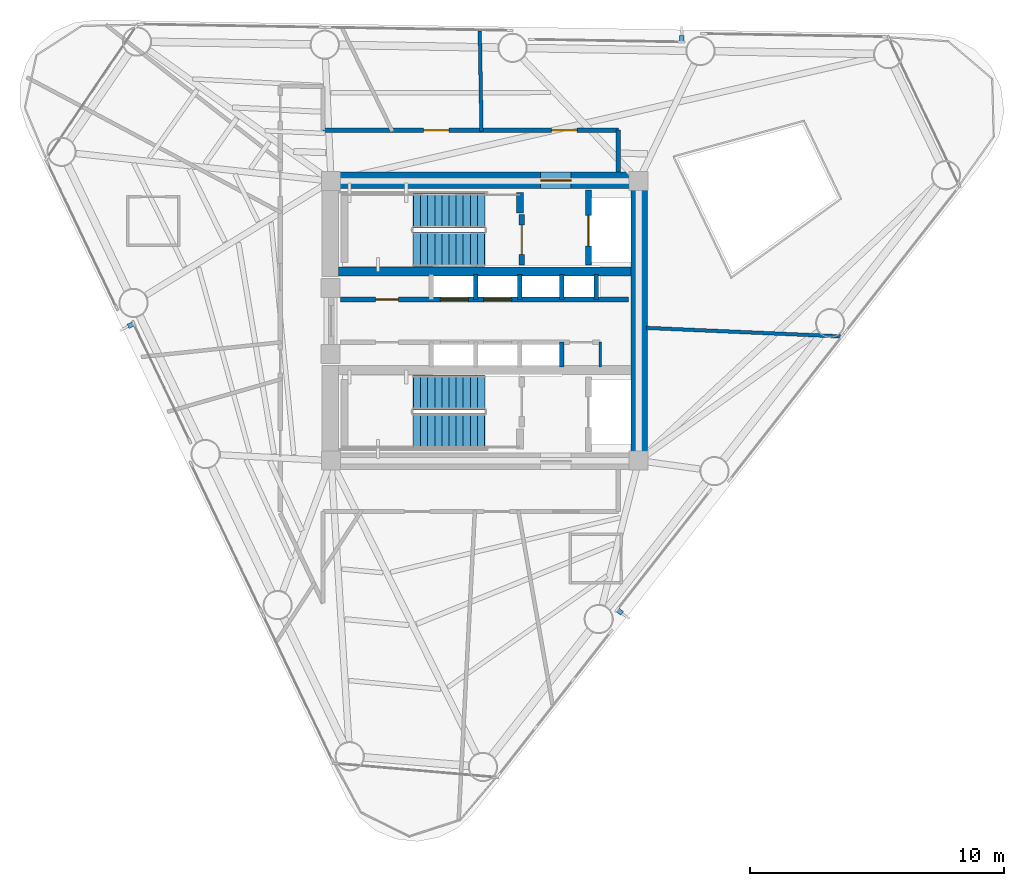
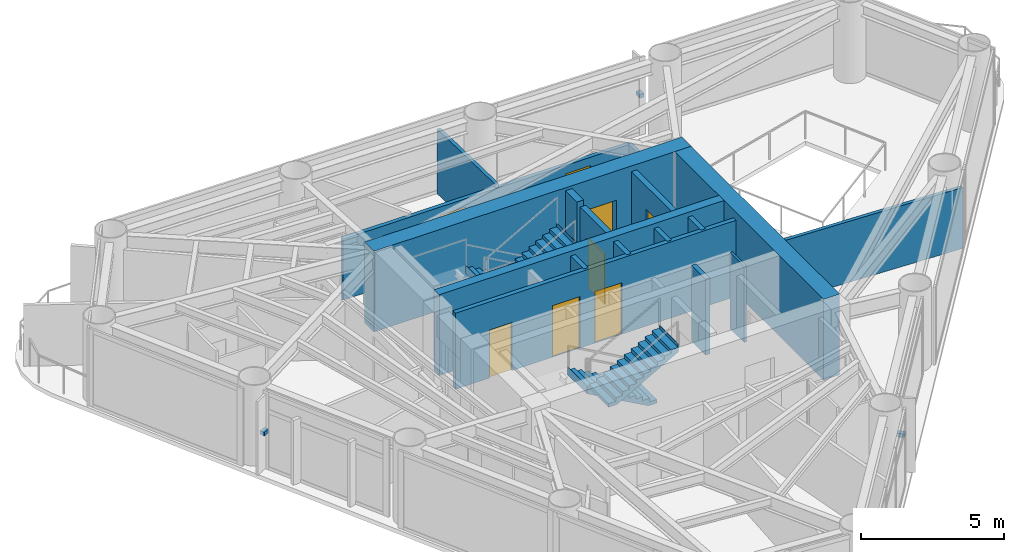
# One storey, part 6 of 9: 17 walls, 8 doors, 4 stair flights, 3 discrete accessories, 8 openings, 2 elements without a shape of their own.
"""IFC4 building model written with IfcOpenShell, lengths in metres."""

from ifc_helpers import new_model, si_unit, direction, frame, frame_2d, origin, origin_2d, place, context, subcontext, project, spatial, polyline, rectangle, outline, extrude, source, transform, mapped, material, layer, layer_set, type_object, element, fill, aggregate, save


model = new_model("IFC4")

# Units and contexts
model_context = context("Model", 3, precision=1e-05, world=origin(), true_north=direction((0.0, 1.0)))
body_context = subcontext(model_context, "Body", "Model", "MODEL_VIEW")
ifc_project = project(units=[si_unit("LENGTHUNIT", "METRE"), si_unit("AREAUNIT", "SQUARE_METRE"), si_unit("VOLUMEUNIT", "CUBIC_METRE"), si_unit("PLANEANGLEUNIT", "RADIAN"), si_unit("MASSUNIT", "GRAM", prefix="KILO")], contexts=[model_context])

# Site, building, storey
site_placement = place(None, origin())
site = spatial("IfcSite", under=ifc_project, at=site_placement, CompositionType="ELEMENT")
building_placement = place(site_placement, origin())
building = spatial("IfcBuilding", under=site, at=building_placement, Name="Yunling Apex Tower", CompositionType="ELEMENT")
storey_placement = place(building_placement, frame((0.0, 0.0, 194.89990234375)))
storey = spatial("IfcBuildingStorey", under=building, at=storey_placement, Name="L47", CompositionType="ELEMENT", Elevation=194.89990234375)

# Wall, opening, door
ifc_material_1 = material(Name="Concrete C50", Category="concrete")
ifc_layer_1 = layer(ifc_material_1, 0.64990234375)
ifc_layer_set_1 = layer_set([ifc_layer_1], Name="Concrete C50")
wall_type_1 = type_object("IfcWallType", Name="WL-COR-2", PredefinedType="SHEAR", material=ifc_layer_set_1)
wall_1_placement = place(storey_placement, frame((-6.39990234375, 5.52490234375, 0.0), z_axis=(0.0, 0.0, 1.0), x_axis=(1.0, 0.0, 0.0)))
wall_1 = element("IfcWall", 1, at=wall_1_placement, inside=storey, type_object=wall_type_1, Name="L47 North Core Shear Wall", PredefinedType="SHEAR", context=body_context, shape_type="SweptSolid", body=[
    extrude(rectangle(XDim=12.7998046875, YDim=0.64990234375, at=frame_2d((6.39990234375, 0.0))), origin(), (0.0, 0.0, 1.0), 3.4501953125),
])
opening_1_placement = place(wall_1_placement, frame((8.60009765625, 0.0, 0.0)))
opening_1 = element("IfcOpeningElement", 2, at=opening_1_placement, cuts=wall_1, Name="Opening DR-FFL-1", PredefinedType="OPENING", context=body_context, shape_type="SweptSolid", body=[
    extrude(rectangle(XDim=1.199951171875, YDim=2.199951171875, at=frame_2d((0.60009765625, 1.10009765625))), frame((0.0, 0.3349609375, 0.0), z_axis=(0.0, -1.0, 0.0), x_axis=(1.0, 0.0, 0.0)), (0.0, 0.0, 1.0), 0.669921875),
])
ifc_material_2 = material(Name="Steel Q355B", Category="steel")
door_type_1 = type_object("IfcDoorType", Name="DR-FFL-1", OperationType="NOTDEFINED", PredefinedType="DOOR", material=ifc_material_2)
door_1_placement = place(opening_1_placement, origin())
door_1 = element("IfcDoor", 3, at=door_1_placement, inside=storey, type_object=door_type_1, Name="L47 North Firefighting Lobby Door", OperationType="SINGLE_SWING_LEFT", OverallHeight=2.199951171875, OverallWidth=1.199951171875, PredefinedType="DOOR", context=body_context, shape_type="SweptSolid", body=[
    extrude(rectangle(XDim=1.199951171875, YDim=2.199951171875, at=frame_2d((0.60009765625, 1.10009765625))), frame((0.0, 0.02490234375, 0.0), z_axis=(0.0, -1.0, 0.0), x_axis=(1.0, 0.0, 0.0)), (0.0, 0.0, 1.0), 0.050048828125),
])
fill(opening_1, door_1)

# Walls
wall_2_placement = place(storey_placement, frame((6.074951171875, -5.199951171875, 0.0), z_axis=(0.0, 0.0, 1.0), x_axis=(0.0, 1.0, 0.0)))
element("IfcWall", 4, at=wall_2_placement, inside=storey, type_object=wall_type_1, Name="L47 East Core Shear Wall", PredefinedType="SHEAR", context=body_context, shape_type="SweptSolid", body=[
    extrude(rectangle(XDim=10.39990234375, YDim=0.64990234375, at=frame_2d((5.199951171875, 0.0))), origin(), (0.0, 0.0, 1.0), 3.4501953125),
])
ifc_material_3 = material(Name="Concrete C40", Category="concrete")
ifc_layer_2 = layer(ifc_material_3, 0.360107421875)
ifc_layer_set_2 = layer_set([ifc_layer_2], Name="Concrete C40")
wall_type_2 = type_object("IfcWallType", Name="WL-COR-4", PredefinedType="SHEAR", material=ifc_layer_set_2)
wall_3_placement = place(storey_placement, frame((-5.75, 1.93994140625, 0.0), z_axis=(0.0, 0.0, 1.0), x_axis=(1.0, 0.0, 0.0)))
element("IfcWall", 5, at=wall_3_placement, inside=storey, type_object=wall_type_2, Name="L47 North Internal Core Shear Wall", PredefinedType="SHEAR", context=body_context, shape_type="SweptSolid", body=[
    extrude(rectangle(XDim=11.5, YDim=0.360107421875, at=frame_2d((5.75, 0.0))), origin(), (0.0, 0.0, 1.0), 3.4501953125),
])
ifc_layer_3 = layer(ifc_material_3, 0.280029296875)
ifc_layer_set_3 = layer_set([ifc_layer_3], Name="Concrete C40")
wall_type_3 = type_object("IfcWallType", Name="WL-COR-8", PredefinedType="SHEAR", material=ifc_layer_set_3)
wall_4_placement = place(storey_placement, frame((1.3798828125, 4.25, 0.0), z_axis=(0.0, 0.0, 1.0), x_axis=(0.0, 1.0, 0.0)))
element("IfcWall", 6, at=wall_4_placement, inside=storey, type_object=wall_type_3, Name="L47 ST-1 East Landing Bearing Pier", PredefinedType="SHEAR", context=body_context, shape_type="SweptSolid", body=[
    extrude(rectangle(XDim=0.800048828125, YDim=0.280029296875, at=frame_2d((0.39990234375, 0.0))), origin(), (0.0, 0.0, 1.0), 3.4501953125),
])

# Wall, openings, doors
ifc_material_4 = material(Name="Gypsum board acoustic partition")
ifc_layer_4 = layer(ifc_material_4, 0.159912109375)
ifc_layer_set_4 = layer_set([ifc_layer_4], Name="Gypsum board acoustic partition")
wall_type_4 = type_object("IfcWallType", Name="WL-PRT-1", PredefinedType="PARTITIONING", material=ifc_layer_set_4)
wall_5_placement = place(storey_placement, frame((-6.360107421875, 7.5, 0.0), z_axis=(0.0, 0.0, 1.0), x_axis=(1.0, 0.0, 0.0)))
wall_5 = element("IfcWall", 7, at=wall_5_placement, inside=storey, type_object=wall_type_4, Name="WL-CORR-L47-06", PredefinedType="PARTITIONING", context=body_context, shape_type="SweptSolid", body=[
    extrude(rectangle(XDim=11.610107421875, YDim=0.159912109375, at=frame_2d((5.80517578125, 0.0))), origin(), (0.0, 0.0, 1.0), 2.60498046875),
])
opening_2_placement = place(wall_5_placement, frame((3.94775390625, 0.0, 0.0)))
opening_2 = element("IfcOpeningElement", 8, at=opening_2_placement, cuts=wall_5, Name="Opening DR-OFF-1", PredefinedType="OPENING", context=body_context, shape_type="SweptSolid", body=[
    extrude(rectangle(XDim=1.0, YDim=2.25, at=frame_2d((0.5, 1.125))), frame((0.0, 0.08984375, 0.0), z_axis=(0.0, -1.0, 0.0), x_axis=(1.0, 0.0, 0.0)), (0.0, 0.0, 1.0), 0.179931640625),
])
opening_3_placement = place(wall_5_placement, frame((8.9931640625, 0.0, 0.0)))
opening_3 = element("IfcOpeningElement", 9, at=opening_3_placement, cuts=wall_5, Name="Opening DR-OFF-1", PredefinedType="OPENING", context=body_context, shape_type="SweptSolid", body=[
    extrude(rectangle(XDim=1.0, YDim=2.25, at=frame_2d((0.5, 1.125))), frame((0.0, 0.08984375, 0.0), z_axis=(0.0, -1.0, 0.0), x_axis=(1.0, 0.0, 0.0)), (0.0, 0.0, 1.0), 0.179931640625),
])
ifc_material_5 = material(Name="Bronze anodised aluminium", Category="aluminium")
door_type_2 = type_object("IfcDoorType", Name="DR-OFF-1", OperationType="NOTDEFINED", PredefinedType="DOOR", material=ifc_material_5)
door_2_placement = place(opening_2_placement, origin())
door_2 = element("IfcDoor", 10, at=door_2_placement, inside=storey, type_object=door_type_2, Name="L47 Club Lounge Door", OperationType="SINGLE_SWING_LEFT", OverallHeight=2.25, OverallWidth=1.0, PredefinedType="DOOR", context=body_context, shape_type="SweptSolid", body=[
    extrude(rectangle(XDim=1.0, YDim=2.25, at=frame_2d((0.5, 1.125))), frame((0.0, 0.02490234375, 0.0), z_axis=(0.0, -1.0, 0.0), x_axis=(1.0, 0.0, 0.0)), (0.0, 0.0, 1.0), 0.050048828125),
])
fill(opening_2, door_2)
door_3_placement = place(opening_3_placement, origin())
door_3 = element("IfcDoor", 11, at=door_3_placement, inside=storey, type_object=door_type_2, Name="L47 Club Lounge Door", OperationType="SINGLE_SWING_RIGHT", OverallHeight=2.25, OverallWidth=1.0, PredefinedType="DOOR", context=body_context, shape_type="SweptSolid", body=[
    extrude(rectangle(XDim=1.0, YDim=2.25, at=frame_2d((0.5, 1.125))), frame((0.0, 0.02490234375, 0.0), z_axis=(0.0, -1.0, 0.0), x_axis=(1.0, 0.0, 0.0)), (0.0, 0.0, 1.0), 0.050048828125),
])
fill(opening_3, door_3)

# Walls
wall_6_placement = place(storey_placement, frame((5.25, 7.5, 0.0), z_axis=(0.0, 0.0, 1.0), x_axis=(0.0, -1.0, 0.0)))
element("IfcWall", 12, at=wall_6_placement, inside=storey, type_object=wall_type_4, Name="WL-CORR-L47-07", PredefinedType="PARTITIONING", context=body_context, shape_type="SweptSolid", body=[
    extrude(rectangle(XDim=1.64990234375, YDim=0.159912109375, at=frame_2d((0.824951171875, 0.0))), origin(), (0.0, 0.0, 1.0), 2.60498046875),
])
ifc_layer_5 = layer(ifc_material_4, 0.139892578125)
ifc_layer_set_5 = layer_set([ifc_layer_5], Name="Gypsum board acoustic partition")
wall_type_5 = type_object("IfcWallType", Name="WL-PRT-2", PredefinedType="PARTITIONING", material=ifc_layer_set_5)
wall_7_placement = place(storey_placement, frame((6.360107421875, -0.277587890625, 0.0), z_axis=(0.0, 0.0, 1.0), x_axis=(0.999047276506, -0.04364102778, 0.0)))
element("IfcWall", 13, at=wall_7_placement, inside=storey, type_object=wall_type_5, Name="WL-RAD-L47-01", PredefinedType="PARTITIONING", context=body_context, shape_type="SweptSolid", body=[
    extrude(rectangle(XDim=7.641845703125, YDim=0.139892578125, at=frame_2d((3.82080078125, 0.0))), origin(), (0.0, 0.0, 1.0), 2.60498046875),
])
wall_8_placement = place(storey_placement, frame((-0.130126953125, 7.4599609375, 0.0), z_axis=(0.0, 0.0, 1.0), x_axis=(-0.017456477835, 0.999847624082, 0.0)))
element("IfcWall", 14, at=wall_8_placement, inside=storey, type_object=wall_type_5, Name="WL-RAD-L47-02", PredefinedType="PARTITIONING", context=body_context, shape_type="SweptSolid", body=[
    extrude(rectangle(XDim=3.94384765625, YDim=0.139892578125, at=frame_2d((1.971923828125, 0.0))), origin(), (0.0, 0.0, 1.0), 2.76513671875),
])
ifc_layer_6 = layer(ifc_material_4, 0.10009765625)
ifc_layer_set_6 = layer_set([ifc_layer_6], Name="Gypsum board acoustic partition")
wall_type_6 = type_object("IfcWallType", Name="WL-PRT-4", PredefinedType="PARTITIONING", material=ifc_layer_set_6)
wall_9_placement = place(storey_placement, frame((4.5400390625, -1.820068359375, 0.0), z_axis=(0.0, 0.0, 1.0), x_axis=(0.0, 1.0, 0.0)))
element("IfcWall", 15, at=wall_9_placement, inside=storey, type_object=wall_type_6, Name="WL-KASE-E-L47", PredefinedType="PARTITIONING", context=body_context, shape_type="SweptSolid", body=[
    extrude(rectangle(XDim=0.97998046875, YDim=0.10009765625, at=frame_2d((0.489990234375, 0.0))), origin(), (0.0, 0.0, 1.0), 3.25),
])

# Wall, opening, door
ifc_material_6 = material(Name="Autoclaved aerated concrete masonry", Category="masonry")
ifc_layer_7 = layer(ifc_material_6, 0.219970703125)
ifc_layer_set_7 = layer_set([ifc_layer_7], Name="Autoclaved aerated concrete masonry")
wall_type_7 = type_object("IfcWallType", Name="WL-SHF-1", PredefinedType="PLUMBINGWALL", material=ifc_layer_set_7)
wall_10_placement = place(storey_placement, frame((1.449951171875, 2.199951171875, 0.0), z_axis=(0.0, 0.0, 1.0), x_axis=(0.0, 1.0, 0.0)))
wall_10 = element("IfcWall", 16, at=wall_10_placement, inside=storey, type_object=wall_type_7, Name="WL-ST1-E-L47", PredefinedType="PLUMBINGWALL", context=body_context, shape_type="SweptSolid", body=[
    extrude(rectangle(XDim=1.97998046875, YDim=0.219970703125, at=frame_2d((0.989990234375, 0.0))), origin(), (0.0, 0.0, 1.0), 3.25),
])
opening_4_placement = place(wall_10_placement, frame((0.419921875, 0.0, 0.0)))
opening_4 = element("IfcOpeningElement", 17, at=opening_4_placement, cuts=wall_10, Name="Opening DR-ST-1", PredefinedType="OPENING", context=body_context, shape_type="SweptSolid", body=[
    extrude(rectangle(XDim=1.14990234375, YDim=2.14990234375, at=frame_2d((0.574951171875, 1.074951171875))), frame((0.0, 0.1201171875, 0.0), z_axis=(0.0, -1.0, 0.0), x_axis=(1.0, 0.0, 0.0)), (0.0, 0.0, 1.0), 0.239990234375),
])
door_type_3 = type_object("IfcDoorType", Name="DR-ST-1", OperationType="NOTDEFINED", PredefinedType="DOOR", material=ifc_material_2)
door_4_placement = place(opening_4_placement, origin())
door_4 = element("IfcDoor", 18, at=door_4_placement, inside=storey, type_object=door_type_3, Name="L47 Stair ST-1 Fire Door", OperationType="SINGLE_SWING_LEFT", OverallHeight=2.14990234375, OverallWidth=1.14990234375, PredefinedType="DOOR", context=body_context, shape_type="SweptSolid", body=[
    extrude(rectangle(XDim=1.14990234375, YDim=2.14990234375, at=frame_2d((0.574951171875, 1.074951171875))), frame((0.0, 0.02490234375, 0.0), z_axis=(0.0, -1.0, 0.0), x_axis=(1.0, 0.0, 0.0)), (0.0, 0.0, 1.0), 0.050048828125),
])
fill(opening_4, door_4)

wall_11_placement = place(storey_placement, frame((4.080078125, 2.199951171875, 0.0), z_axis=(0.0, 0.0, 1.0), x_axis=(0.0, 1.0, 0.0)))
wall_11 = element("IfcWall", 19, at=wall_11_placement, inside=storey, type_object=wall_type_7, Name="WL-FFL1-W-L47", PredefinedType="PLUMBINGWALL", context=body_context, shape_type="SweptSolid", body=[
    extrude(rectangle(XDim=2.949951171875, YDim=0.219970703125, at=frame_2d((1.47509765625, 0.0))), origin(), (0.0, 0.0, 1.0), 3.25),
])
opening_5_placement = place(wall_11_placement, frame((0.75, 0.0, 0.0)))
opening_5 = element("IfcOpeningElement", 20, at=opening_5_placement, cuts=wall_11, Name="Opening LD-FFL-1", PredefinedType="OPENING", context=body_context, shape_type="SweptSolid", body=[
    extrude(rectangle(XDim=1.199951171875, YDim=2.25, at=frame_2d((0.60009765625, 1.125))), frame((0.0, 0.1201171875, 0.0), z_axis=(0.0, -1.0, 0.0), x_axis=(1.0, 0.0, 0.0)), (0.0, 0.0, 1.0), 0.239990234375),
])
door_type_4 = type_object("IfcDoorType", Name="LD-FFL-1", OperationType="DOUBLE_DOOR_SLIDING", PredefinedType="DOOR", material=ifc_material_2)
door_5_placement = place(opening_5_placement, origin())
door_5 = element("IfcDoor", 21, at=door_5_placement, inside=storey, type_object=door_type_4, Name="L47 Lift FFL-1 Landing Door", OperationType="DOUBLE_DOOR_SLIDING", OverallHeight=2.25, OverallWidth=1.199951171875, PredefinedType="DOOR", context=body_context, shape_type="SweptSolid", body=[
    extrude(rectangle(XDim=1.199951171875, YDim=2.25, at=frame_2d((0.60009765625, 1.125))), frame((0.0, 0.02490234375, 0.0), z_axis=(0.0, -1.0, 0.0), x_axis=(1.0, 0.0, 0.0)), (0.0, 0.0, 1.0), 0.050048828125),
])
fill(opening_5, door_5)

# Walls
ifc_layer_8 = layer(ifc_material_6, 0.179931640625)
ifc_layer_set_8 = layer_set([ifc_layer_8], Name="Autoclaved aerated concrete masonry")
wall_type_8 = type_object("IfcWallType", Name="WL-SHF-2", PredefinedType="PLUMBINGWALL", material=ifc_layer_set_8)
for number, where, z_axis, x_axis, name in (
    (22, (-0.35009765625, 0.840087890625, 0.0), (0.0, 0.0, 1.0), (0.0, 1.0, 0.0), "WL-DIV-M12-L47"),
    (23, (1.3798828125, 0.840087890625, 0.0), (0.0, 0.0, 1.0), (0.0, 1.0, 0.0), "WL-BNK-MH-N-L47"),
    (24, (3.02001953125, 0.840087890625, 0.0), (0.0, 0.0, 1.0), (0.0, 1.0, 0.0), "WL-DIV-H13-L47"),
    (25, (4.3798828125, 0.840087890625, 0.0), (0.0, 0.0, 1.0), (0.0, 1.0, 0.0), "WL-END-H3E-L47"),
    (26, (3.02001953125, -1.820068359375, 0.0), (0.0, 0.0, 1.0), (0.0, 1.0, 0.0), "WL-END-H2E-L47"),
):
    element("IfcWall", number, at=place(storey_placement, frame(where, z_axis=z_axis, x_axis=x_axis)), inside=storey, type_object=wall_type_8, Name=name, PredefinedType="PLUMBINGWALL", context=body_context, shape_type="SweptSolid", body=[
        extrude(rectangle(XDim=0.97998046875, YDim=0.179931640625, at=frame_2d((0.489990234375, 0.0))), origin(), (0.0, 0.0, 1.0), 3.25),
    ])

# Wall, openings, doors
wall_12_placement = place(storey_placement, frame((-5.679931640625, 0.840087890625, 0.0), z_axis=(0.0, 0.0, 1.0), x_axis=(1.0, 0.0, 0.0)))
wall_12 = element("IfcWall", 27, at=wall_12_placement, inside=storey, type_object=wall_type_8, Name="WL-LOB-N-L47", PredefinedType="PLUMBINGWALL", context=body_context, shape_type="SweptSolid", body=[
    extrude(rectangle(XDim=11.329833984375, YDim=0.179931640625, at=frame_2d((5.6650390625, 0.0))), origin(), (0.0, 0.0, 1.0), 3.25),
])
opening_6_placement = place(wall_12_placement, frame((1.3798828125, 0.0, 0.0)))
opening_6 = element("IfcOpeningElement", 28, at=opening_6_placement, cuts=wall_12, Name="Opening DR-SHF-1", PredefinedType="OPENING", context=body_context, shape_type="SweptSolid", body=[
    extrude(rectangle(XDim=0.89990234375, YDim=2.050048828125, at=frame_2d((0.449951171875, 1.02490234375))), frame((0.0, 0.10009765625, 0.0), z_axis=(0.0, -1.0, 0.0), x_axis=(1.0, 0.0, 0.0)), (0.0, 0.0, 1.0), 0.199951171875),
])
opening_7_placement = place(wall_12_placement, frame((3.929931640625, 0.0, 0.0)))
opening_7 = element("IfcOpeningElement", 29, at=opening_7_placement, cuts=wall_12, Name="Opening LD-PAS-1", PredefinedType="OPENING", context=body_context, shape_type="SweptSolid", body=[
    extrude(rectangle(XDim=1.10009765625, YDim=2.199951171875, at=frame_2d((0.550048828125, 1.10009765625))), frame((0.0, 0.10009765625, 0.0), z_axis=(0.0, -1.0, 0.0), x_axis=(1.0, 0.0, 0.0)), (0.0, 0.0, 1.0), 0.199951171875),
])
opening_8_placement = place(wall_12_placement, frame((5.6298828125, 0.0, 0.0)))
opening_8 = element("IfcOpeningElement", 30, at=opening_8_placement, cuts=wall_12, Name="Opening LD-PAS-1", PredefinedType="OPENING", context=body_context, shape_type="SweptSolid", body=[
    extrude(rectangle(XDim=1.10009765625, YDim=2.199951171875, at=frame_2d((0.550048828125, 1.10009765625))), frame((0.0, 0.10009765625, 0.0), z_axis=(0.0, -1.0, 0.0), x_axis=(1.0, 0.0, 0.0)), (0.0, 0.0, 1.0), 0.199951171875),
])
door_type_5 = type_object("IfcDoorType", Name="DR-SHF-1", OperationType="NOTDEFINED", PredefinedType="DOOR", material=ifc_material_2)
door_6_placement = place(opening_6_placement, origin())
door_6 = element("IfcDoor", 31, at=door_6_placement, inside=storey, type_object=door_type_5, Name="L47 Parcel Store Door", OperationType="SINGLE_SWING_LEFT", OverallHeight=2.050048828125, OverallWidth=0.89990234375, PredefinedType="DOOR", context=body_context, shape_type="SweptSolid", body=[
    extrude(rectangle(XDim=0.89990234375, YDim=2.050048828125, at=frame_2d((0.449951171875, 1.02490234375))), frame((0.0, 0.02490234375, 0.0), z_axis=(0.0, -1.0, 0.0), x_axis=(1.0, 0.0, 0.0)), (0.0, 0.0, 1.0), 0.050048828125),
])
fill(opening_6, door_6)
ifc_material_7 = material(Name="Silver anodised aluminium", Category="aluminium")
door_type_6 = type_object("IfcDoorType", Name="LD-PAS-1", OperationType="DOUBLE_DOOR_SLIDING", PredefinedType="DOOR", material=ifc_material_7)
door_7_placement = place(opening_7_placement, origin())
door_7 = element("IfcDoor", 32, at=door_7_placement, inside=storey, type_object=door_type_6, Name="L47 Lift PL-M1 Landing Door", OperationType="DOUBLE_DOOR_SLIDING", OverallHeight=2.199951171875, OverallWidth=1.10009765625, PredefinedType="DOOR", context=body_context, shape_type="SweptSolid", body=[
    extrude(rectangle(XDim=1.10009765625, YDim=2.199951171875, at=frame_2d((0.550048828125, 1.10009765625))), frame((0.0, 0.02490234375, 0.0), z_axis=(0.0, -1.0, 0.0), x_axis=(1.0, 0.0, 0.0)), (0.0, 0.0, 1.0), 0.050048828125),
])
fill(opening_7, door_7)
door_8_placement = place(opening_8_placement, origin())
door_8 = element("IfcDoor", 33, at=door_8_placement, inside=storey, type_object=door_type_6, Name="L47 Lift PL-M2 Landing Door", OperationType="DOUBLE_DOOR_SLIDING", OverallHeight=2.199951171875, OverallWidth=1.10009765625, PredefinedType="DOOR", context=body_context, shape_type="SweptSolid", body=[
    extrude(rectangle(XDim=1.10009765625, YDim=2.199951171875, at=frame_2d((0.550048828125, 1.10009765625))), frame((0.0, 0.02490234375, 0.0), z_axis=(0.0, -1.0, 0.0), x_axis=(1.0, 0.0, 0.0)), (0.0, 0.0, 1.0), 0.050048828125),
])
fill(opening_8, door_8)

# Stair, stair flights
stair_type = type_object("IfcStairType", Name="ST-TWR-2", PredefinedType="HALF_TURN_STAIR", material=ifc_material_3)
stair_1_placement = place(storey_placement, origin())
stair_1 = element("IfcStair", 34, at=stair_1_placement, inside=storey, type_object=stair_type, Name="L47 North Core Smokeproof Exit Stair ST-1", PredefinedType="HALF_TURN_STAIR")
stair_flight_type = type_object("IfcStairFlightType", Name="SFL-TWR-2", PredefinedType="STRAIGHT", material=ifc_material_3)
stair_flight_1_placement = place(storey_placement, frame((-0.010009765625, 4.330078125, 0.0), z_axis=(0.0, 0.0, 1.0), x_axis=(-1.0, 0.0, 0.0)))
stair_flight_1 = element("IfcStairFlight", 35, at=stair_flight_1_placement, type_object=stair_flight_type, Name="ST-1 flight 1", NumberOfRisers=11, NumberOfTreads=10, PredefinedType="STRAIGHT", RiserHeight=0.156818182, TreadLength=0.28, context=body_context, shape_type="SweptSolid", body=[
    extrude(outline(polyline([(-0.011962890625, 0.0), (-0.011962890625, 0.15673828125), (0.0, 0.15673828125), (0.280029296875, 0.15673828125), (0.280029296875, 0.313720703125), (0.56005859375, 0.313720703125), (0.56005859375, 0.470458984375), (0.840087890625, 0.470458984375), (0.840087890625, 0.627197265625), (1.1201171875, 0.627197265625), (1.1201171875, 0.7841796875), (1.39990234375, 0.7841796875), (1.39990234375, 0.94091796875), (1.679931640625, 0.94091796875), (1.679931640625, 1.09765625), (1.9599609375, 1.09765625), (1.9599609375, 1.254638671875), (2.239990234375, 1.254638671875), (2.239990234375, 1.411376953125), (2.52001953125, 1.411376953125), (2.52001953125, 1.568115234375), (2.800048828125, 1.568115234375), (2.800048828125, 1.72509765625), (2.81201171875, 1.72509765625), (2.81201171875, 1.385009765625), (0.3271484375, 0.0), (-0.011962890625, 0.0)])), frame((0.0, 0.68017578125, 0.0), z_axis=(0.0, -1.0, 0.0), x_axis=(1.0, 0.0, 0.0)), (0.0, 0.0, 1.0), 1.360107421875),
])
stair_flight_2_placement = place(storey_placement, frame((-2.81005859375, 2.820068359375, 1.72509765625), z_axis=(0.0, 0.0, 1.0), x_axis=(1.0, 0.0, 0.0)))
stair_flight_2 = element("IfcStairFlight", 36, at=stair_flight_2_placement, type_object=stair_flight_type, Name="ST-1 flight 2", NumberOfRisers=11, NumberOfTreads=10, PredefinedType="STRAIGHT", RiserHeight=0.156818182, TreadLength=0.28, context=body_context, shape_type="SweptSolid", body=[
    extrude(outline(polyline([(-0.011962890625, 0.0), (-0.011962890625, 0.15673828125), (0.0, 0.15673828125), (0.280029296875, 0.15673828125), (0.280029296875, 0.313720703125), (0.56005859375, 0.313720703125), (0.56005859375, 0.470458984375), (0.840087890625, 0.470458984375), (0.840087890625, 0.627197265625), (1.1201171875, 0.627197265625), (1.1201171875, 0.7841796875), (1.39990234375, 0.7841796875), (1.39990234375, 0.94091796875), (1.679931640625, 0.94091796875), (1.679931640625, 1.09765625), (1.9599609375, 1.09765625), (1.9599609375, 1.254638671875), (2.239990234375, 1.254638671875), (2.239990234375, 1.411376953125), (2.52001953125, 1.411376953125), (2.52001953125, 1.568115234375), (2.800048828125, 1.568115234375), (2.800048828125, 1.72509765625), (2.81201171875, 1.72509765625), (2.81201171875, 1.385009765625), (0.3271484375, 0.0), (-0.011962890625, 0.0)])), frame((0.0, 0.68017578125, 0.0), z_axis=(0.0, -1.0, 0.0), x_axis=(1.0, 0.0, 0.0)), (0.0, 0.0, 1.0), 1.360107421875),
])
aggregate(stair_1, [stair_flight_1, stair_flight_2])

stair_2_placement = place(storey_placement, origin())
stair_2 = element("IfcStair", 37, at=stair_2_placement, inside=storey, type_object=stair_type, Name="L47 South Core Smokeproof Exit Stair ST-2", PredefinedType="HALF_TURN_STAIR")
stair_flight_3_placement = place(storey_placement, frame((-0.010009765625, -2.820068359375, 0.0), z_axis=(0.0, 0.0, 1.0), x_axis=(-1.0, 0.0, 0.0)))
stair_flight_3 = element("IfcStairFlight", 38, at=stair_flight_3_placement, type_object=stair_flight_type, Name="ST-2 flight 1", NumberOfRisers=11, NumberOfTreads=10, PredefinedType="STRAIGHT", RiserHeight=0.156818182, TreadLength=0.28, context=body_context, shape_type="SweptSolid", body=[
    extrude(outline(polyline([(-0.011962890625, 0.0), (-0.011962890625, 0.15673828125), (0.0, 0.15673828125), (0.280029296875, 0.15673828125), (0.280029296875, 0.313720703125), (0.56005859375, 0.313720703125), (0.56005859375, 0.470458984375), (0.840087890625, 0.470458984375), (0.840087890625, 0.627197265625), (1.1201171875, 0.627197265625), (1.1201171875, 0.7841796875), (1.39990234375, 0.7841796875), (1.39990234375, 0.94091796875), (1.679931640625, 0.94091796875), (1.679931640625, 1.09765625), (1.9599609375, 1.09765625), (1.9599609375, 1.254638671875), (2.239990234375, 1.254638671875), (2.239990234375, 1.411376953125), (2.52001953125, 1.411376953125), (2.52001953125, 1.568115234375), (2.800048828125, 1.568115234375), (2.800048828125, 1.72509765625), (2.81201171875, 1.72509765625), (2.81201171875, 1.385009765625), (0.3271484375, 0.0), (-0.011962890625, 0.0)])), frame((0.0, 0.68017578125, 0.0), z_axis=(0.0, -1.0, 0.0), x_axis=(1.0, 0.0, 0.0)), (0.0, 0.0, 1.0), 1.360107421875),
])
stair_flight_4_placement = place(storey_placement, frame((-2.81005859375, -4.330078125, 1.72509765625), z_axis=(0.0, 0.0, 1.0), x_axis=(1.0, 0.0, 0.0)))
stair_flight_4 = element("IfcStairFlight", 39, at=stair_flight_4_placement, type_object=stair_flight_type, Name="ST-2 flight 2", NumberOfRisers=11, NumberOfTreads=10, PredefinedType="STRAIGHT", RiserHeight=0.156818182, TreadLength=0.28, context=body_context, shape_type="SweptSolid", body=[
    extrude(outline(polyline([(-0.011962890625, 0.0), (-0.011962890625, 0.15673828125), (0.0, 0.15673828125), (0.280029296875, 0.15673828125), (0.280029296875, 0.313720703125), (0.56005859375, 0.313720703125), (0.56005859375, 0.470458984375), (0.840087890625, 0.470458984375), (0.840087890625, 0.627197265625), (1.1201171875, 0.627197265625), (1.1201171875, 0.7841796875), (1.39990234375, 0.7841796875), (1.39990234375, 0.94091796875), (1.679931640625, 0.94091796875), (1.679931640625, 1.09765625), (1.9599609375, 1.09765625), (1.9599609375, 1.254638671875), (2.239990234375, 1.254638671875), (2.239990234375, 1.411376953125), (2.52001953125, 1.411376953125), (2.52001953125, 1.568115234375), (2.800048828125, 1.568115234375), (2.800048828125, 1.72509765625), (2.81201171875, 1.72509765625), (2.81201171875, 1.385009765625), (0.3271484375, 0.0), (-0.011962890625, 0.0)])), frame((0.0, 0.68017578125, 0.0), z_axis=(0.0, -1.0, 0.0), x_axis=(1.0, 0.0, 0.0)), (0.0, 0.0, 1.0), 1.360107421875),
])
aggregate(stair_2, [stair_flight_3, stair_flight_4])

# Discrete accessories
discrete_accessory_type = type_object("IfcDiscreteAccessoryType", Name="BK-FIN-1", PredefinedType="BRACKET", material=ifc_material_2)
shared_shape = source(origin(), body_context, "Body", "SweptSolid", [
    extrude(rectangle(XDim=0.179931640625, YDim=0.260009765625, at=origin_2d()), origin(), (0.0, 0.0, 1.0), 0.159912109375),
])
for number, where, z_axis, x_axis, name in (
    (40, (5.299072265625, -11.432861328125, 1.55517578125), (0.0, 0.0, 1.0), (0.616211460536, 0.787580748815, 0.0), "CW-L47-F1-B2-BRK-01-1"),
    (41, (7.749755859375, 11.090087890625, 1.55517578125), (0.0, 0.0, 1.0), (-0.999859635577, 0.016754376869, 0.0), "CW-L47-F2-B2-BRK-01-1"),
    (42, (-13.9189453125, -0.16162109375, 1.55517578125), (0.0, 0.0, 1.0), (0.430511096808, -0.90258528435, 0.0), "CW-L47-F3-B2-BRK-01-1"),
):
    element("IfcDiscreteAccessory", number, at=place(storey_placement, frame(where, z_axis=z_axis, x_axis=x_axis)), inside=storey, type_object=discrete_accessory_type, Name=name, PredefinedType="BRACKET", context=body_context, shape_type="MappedRepresentation", body=[
        mapped(shared_shape, transform((0.0, 0.0, 0.0), scale=1.0)),
    ])

save(model, "model.ifc")
